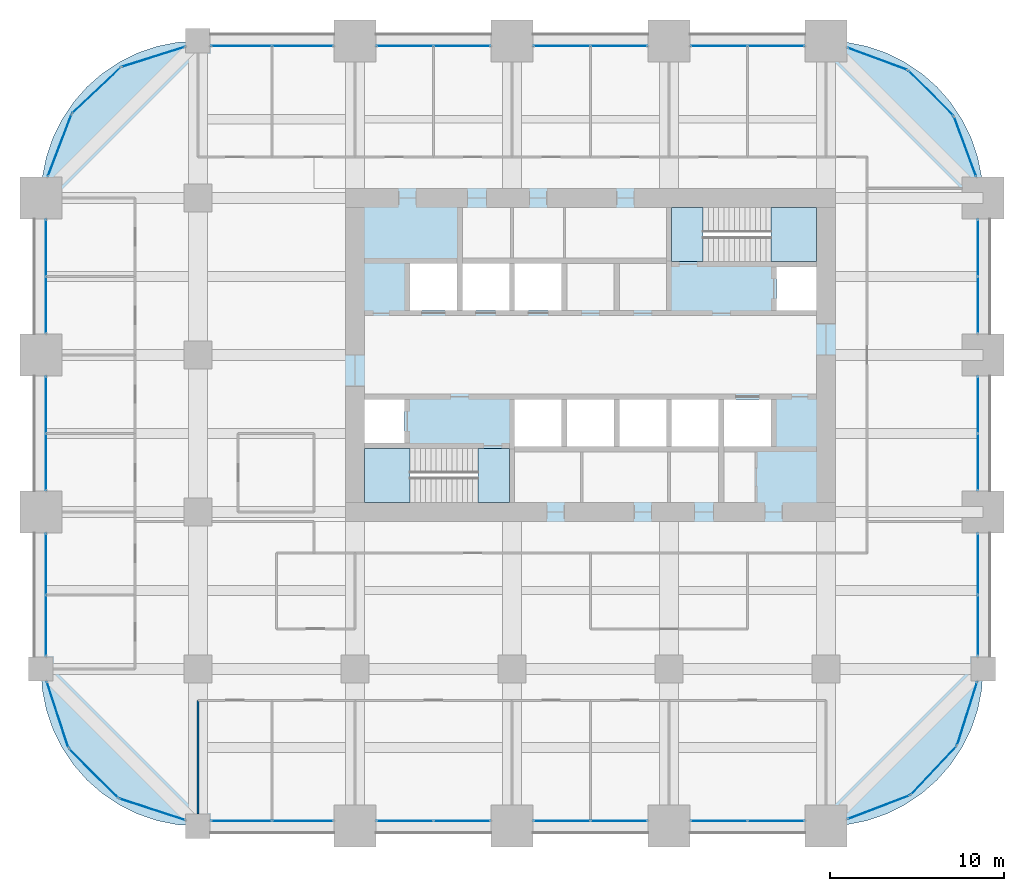
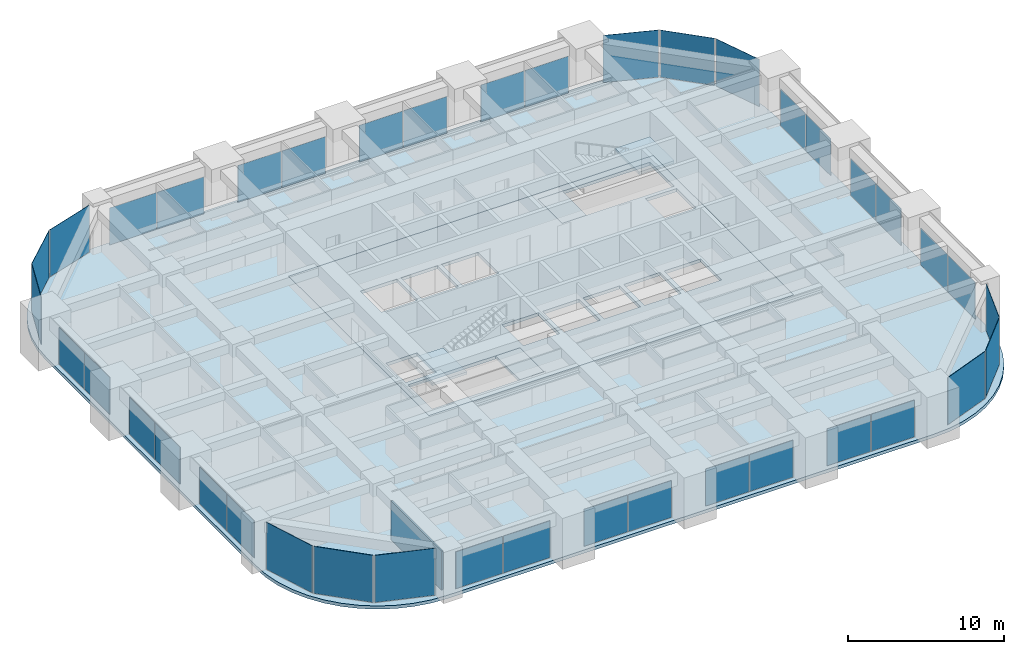
# One storey, part 28 of 34: 40 plates, 6 slabs, 1 wall, 28 elements without a shape of their own.
"""IFC4 building model written with IfcOpenShell, lengths in metres."""

from ifc_helpers import new_model, si_unit, direction, frame, frame_2d, origin, origin_2d, place, context, subcontext, project, spatial, polyline, rectangle, outline, extrude, material, layer, layer_set, type_object, element, aggregate, save


model = new_model("IFC4")

# Units and contexts
model_context = context("Model", 3, precision=1e-05, world=origin(), true_north=direction((0.0, 1.0)))
body_context = subcontext(model_context, "Body", "Model", "MODEL_VIEW")
ifc_project = project(units=[si_unit("LENGTHUNIT", "METRE"), si_unit("AREAUNIT", "SQUARE_METRE"), si_unit("VOLUMEUNIT", "CUBIC_METRE"), si_unit("PLANEANGLEUNIT", "RADIAN"), si_unit("MASSUNIT", "GRAM", prefix="KILO")], contexts=[model_context])

# Site, building, storey
site_placement = place(None, origin())
site = spatial("IfcSite", under=ifc_project, at=site_placement, CompositionType="ELEMENT")
building_placement = place(site_placement, origin())
building = spatial("IfcBuilding", under=site, at=building_placement, Name="Zorevar Civic Tower", CompositionType="ELEMENT")
storey_placement = place(building_placement, frame((0.0, 0.0, 170.199951171875)))
storey = spatial("IfcBuildingStorey", under=building, at=storey_placement, Name="L41", CompositionType="ELEMENT", Elevation=170.199951171875)

# Curtain wall, plates
ifc_material_1 = material(Name="Dark grey solar-control glass in black aluminium frame", Category="aluminium")
curtain_wall_type = type_object("IfcCurtainWallType", Name="Curtain wall CW4 high zone", PredefinedType="NOTDEFINED", material=ifc_material_1)
curtain_wall_1_placement = place(storey_placement, origin())
curtain_wall_1 = element("IfcCurtainWall", 1, at=curtain_wall_1_placement, inside=storey, type_object=curtain_wall_type, Name="CW4 L41", PredefinedType="NOTDEFINED")
ifc_material_2 = material(Name="Dark grey solar-control glass", Category="glass")
ifc_layer_1 = layer(ifc_material_2, 0.028076171875)
ifc_layer_set_1 = layer_set([ifc_layer_1], Name="CW4 panel 28")
plate_type = type_object("IfcPlateType", Name="CW4 panel 28", PredefinedType="CURTAIN_PANEL", material=ifc_layer_set_1)
plate_1_placement = place(storey_placement, frame((11.489990234375, 0.300048828125, 0.06005859375), z_axis=(0.0, 0.0, 1.0), x_axis=(1.0, 0.0, 0.0)))
plate_1 = element("IfcPlate", 2, at=plate_1_placement, type_object=plate_type, Name="CW4 panel 1.1", PredefinedType="CURTAIN_PANEL", context=body_context, shape_type="SweptSolid", body=[
    extrude(rectangle(XDim=3.4599609375, YDim=0.028076171875, at=origin_2d()), origin(), (0.0, 0.0, 1.0), 2.889892578125),
])
plate_2_placement = place(storey_placement, frame((15.010009765625, 0.300048828125, 0.06005859375), z_axis=(0.0, 0.0, 1.0), x_axis=(1.0, 0.0, 0.0)))
plate_2 = element("IfcPlate", 3, at=plate_2_placement, type_object=plate_type, Name="CW4 panel 2.1", PredefinedType="CURTAIN_PANEL", context=body_context, shape_type="SweptSolid", body=[
    extrude(rectangle(XDim=3.4599609375, YDim=0.028076171875, at=origin_2d()), origin(), (0.0, 0.0, 1.0), 2.889892578125),
])
aggregate(curtain_wall_1, [plate_1, plate_2])

curtain_wall_2_placement = place(storey_placement, origin())
curtain_wall_2 = element("IfcCurtainWall", 4, at=curtain_wall_2_placement, inside=storey, type_object=curtain_wall_type, Name="CW4 L41", PredefinedType="NOTDEFINED")
plate_3_placement = place(storey_placement, frame((11.489990234375, 44.699951171875, 0.06005859375), z_axis=(0.0, 0.0, 1.0), x_axis=(1.0, 0.0, 0.0)))
plate_3 = element("IfcPlate", 5, at=plate_3_placement, type_object=plate_type, Name="CW4 panel 1.1", PredefinedType="CURTAIN_PANEL", context=body_context, shape_type="SweptSolid", body=[
    extrude(rectangle(XDim=3.4599609375, YDim=0.028076171875, at=origin_2d()), origin(), (0.0, 0.0, 1.0), 2.889892578125),
])
plate_4_placement = place(storey_placement, frame((15.010009765625, 44.699951171875, 0.06005859375), z_axis=(0.0, 0.0, 1.0), x_axis=(1.0, 0.0, 0.0)))
plate_4 = element("IfcPlate", 6, at=plate_4_placement, type_object=plate_type, Name="CW4 panel 2.1", PredefinedType="CURTAIN_PANEL", context=body_context, shape_type="SweptSolid", body=[
    extrude(rectangle(XDim=3.4599609375, YDim=0.028076171875, at=origin_2d()), origin(), (0.0, 0.0, 1.0), 2.889892578125),
])
aggregate(curtain_wall_2, [plate_3, plate_4])

curtain_wall_3_placement = place(storey_placement, origin())
curtain_wall_3 = element("IfcCurtainWall", 7, at=curtain_wall_3_placement, inside=storey, type_object=curtain_wall_type, Name="CW4 L41", PredefinedType="NOTDEFINED")
plate_5_placement = place(storey_placement, frame((20.864990234375, 0.300048828125, 0.06005859375), z_axis=(0.0, 0.0, 1.0), x_axis=(1.0, 0.0, 0.0)))
plate_5 = element("IfcPlate", 8, at=plate_5_placement, type_object=plate_type, Name="CW4 panel 1.1", PredefinedType="CURTAIN_PANEL", context=body_context, shape_type="SweptSolid", body=[
    extrude(rectangle(XDim=3.2099609375, YDim=0.028076171875, at=origin_2d()), origin(), (0.0, 0.0, 1.0), 2.889892578125),
])
plate_6_placement = place(storey_placement, frame((24.135009765625, 0.300048828125, 0.06005859375), z_axis=(0.0, 0.0, 1.0), x_axis=(1.0, 0.0, 0.0)))
plate_6 = element("IfcPlate", 9, at=plate_6_placement, type_object=plate_type, Name="CW4 panel 2.1", PredefinedType="CURTAIN_PANEL", context=body_context, shape_type="SweptSolid", body=[
    extrude(rectangle(XDim=3.2099609375, YDim=0.028076171875, at=origin_2d()), origin(), (0.0, 0.0, 1.0), 2.889892578125),
])
aggregate(curtain_wall_3, [plate_5, plate_6])

curtain_wall_4_placement = place(storey_placement, origin())
curtain_wall_4 = element("IfcCurtainWall", 10, at=curtain_wall_4_placement, inside=storey, type_object=curtain_wall_type, Name="CW4 L41", PredefinedType="NOTDEFINED")
plate_7_placement = place(storey_placement, frame((20.864990234375, 44.699951171875, 0.06005859375), z_axis=(0.0, 0.0, 1.0), x_axis=(1.0, 0.0, 0.0)))
plate_7 = element("IfcPlate", 11, at=plate_7_placement, type_object=plate_type, Name="CW4 panel 1.1", PredefinedType="CURTAIN_PANEL", context=body_context, shape_type="SweptSolid", body=[
    extrude(rectangle(XDim=3.2099609375, YDim=0.028076171875, at=origin_2d()), origin(), (0.0, 0.0, 1.0), 2.889892578125),
])
plate_8_placement = place(storey_placement, frame((24.135009765625, 44.699951171875, 0.06005859375), z_axis=(0.0, 0.0, 1.0), x_axis=(1.0, 0.0, 0.0)))
plate_8 = element("IfcPlate", 12, at=plate_8_placement, type_object=plate_type, Name="CW4 panel 2.1", PredefinedType="CURTAIN_PANEL", context=body_context, shape_type="SweptSolid", body=[
    extrude(rectangle(XDim=3.2099609375, YDim=0.028076171875, at=origin_2d()), origin(), (0.0, 0.0, 1.0), 2.889892578125),
])
aggregate(curtain_wall_4, [plate_7, plate_8])

curtain_wall_5_placement = place(storey_placement, origin())
curtain_wall_5 = element("IfcCurtainWall", 13, at=curtain_wall_5_placement, inside=storey, type_object=curtain_wall_type, Name="CW4 L41", PredefinedType="NOTDEFINED")
plate_9_placement = place(storey_placement, frame((29.864990234375, 0.300048828125, 0.06005859375), z_axis=(0.0, 0.0, 1.0), x_axis=(1.0, 0.0, 0.0)))
plate_9 = element("IfcPlate", 14, at=plate_9_placement, type_object=plate_type, Name="CW4 panel 1.1", PredefinedType="CURTAIN_PANEL", context=body_context, shape_type="SweptSolid", body=[
    extrude(rectangle(XDim=3.2099609375, YDim=0.028076171875, at=origin_2d()), origin(), (0.0, 0.0, 1.0), 2.889892578125),
])
plate_10_placement = place(storey_placement, frame((33.135009765625, 0.300048828125, 0.06005859375), z_axis=(0.0, 0.0, 1.0), x_axis=(1.0, 0.0, 0.0)))
plate_10 = element("IfcPlate", 15, at=plate_10_placement, type_object=plate_type, Name="CW4 panel 2.1", PredefinedType="CURTAIN_PANEL", context=body_context, shape_type="SweptSolid", body=[
    extrude(rectangle(XDim=3.2099609375, YDim=0.028076171875, at=origin_2d()), origin(), (0.0, 0.0, 1.0), 2.889892578125),
])
aggregate(curtain_wall_5, [plate_9, plate_10])

curtain_wall_6_placement = place(storey_placement, origin())
curtain_wall_6 = element("IfcCurtainWall", 16, at=curtain_wall_6_placement, inside=storey, type_object=curtain_wall_type, Name="CW4 L41", PredefinedType="NOTDEFINED")
plate_11_placement = place(storey_placement, frame((29.864990234375, 44.699951171875, 0.06005859375), z_axis=(0.0, 0.0, 1.0), x_axis=(1.0, 0.0, 0.0)))
plate_11 = element("IfcPlate", 17, at=plate_11_placement, type_object=plate_type, Name="CW4 panel 1.1", PredefinedType="CURTAIN_PANEL", context=body_context, shape_type="SweptSolid", body=[
    extrude(rectangle(XDim=3.2099609375, YDim=0.028076171875, at=origin_2d()), origin(), (0.0, 0.0, 1.0), 2.889892578125),
])
plate_12_placement = place(storey_placement, frame((33.135009765625, 44.699951171875, 0.06005859375), z_axis=(0.0, 0.0, 1.0), x_axis=(1.0, 0.0, 0.0)))
plate_12 = element("IfcPlate", 18, at=plate_12_placement, type_object=plate_type, Name="CW4 panel 2.1", PredefinedType="CURTAIN_PANEL", context=body_context, shape_type="SweptSolid", body=[
    extrude(rectangle(XDim=3.2099609375, YDim=0.028076171875, at=origin_2d()), origin(), (0.0, 0.0, 1.0), 2.889892578125),
])
aggregate(curtain_wall_6, [plate_11, plate_12])

curtain_wall_7_placement = place(storey_placement, origin())
curtain_wall_7 = element("IfcCurtainWall", 19, at=curtain_wall_7_placement, inside=storey, type_object=curtain_wall_type, Name="CW4 L41", PredefinedType="NOTDEFINED")
plate_13_placement = place(storey_placement, frame((38.864990234375, 0.300048828125, 0.06005859375), z_axis=(0.0, 0.0, 1.0), x_axis=(1.0, 0.0, 0.0)))
plate_13 = element("IfcPlate", 20, at=plate_13_placement, type_object=plate_type, Name="CW4 panel 1.1", PredefinedType="CURTAIN_PANEL", context=body_context, shape_type="SweptSolid", body=[
    extrude(rectangle(XDim=3.2099609375, YDim=0.028076171875, at=origin_2d()), origin(), (0.0, 0.0, 1.0), 2.889892578125),
])
plate_14_placement = place(storey_placement, frame((42.135009765625, 0.300048828125, 0.06005859375), z_axis=(0.0, 0.0, 1.0), x_axis=(1.0, 0.0, 0.0)))
plate_14 = element("IfcPlate", 21, at=plate_14_placement, type_object=plate_type, Name="CW4 panel 2.1", PredefinedType="CURTAIN_PANEL", context=body_context, shape_type="SweptSolid", body=[
    extrude(rectangle(XDim=3.2099609375, YDim=0.028076171875, at=origin_2d()), origin(), (0.0, 0.0, 1.0), 2.889892578125),
])
aggregate(curtain_wall_7, [plate_13, plate_14])

curtain_wall_8_placement = place(storey_placement, origin())
curtain_wall_8 = element("IfcCurtainWall", 22, at=curtain_wall_8_placement, inside=storey, type_object=curtain_wall_type, Name="CW4 L41", PredefinedType="NOTDEFINED")
plate_15_placement = place(storey_placement, frame((38.864990234375, 44.699951171875, 0.06005859375), z_axis=(0.0, 0.0, 1.0), x_axis=(1.0, 0.0, 0.0)))
plate_15 = element("IfcPlate", 23, at=plate_15_placement, type_object=plate_type, Name="CW4 panel 1.1", PredefinedType="CURTAIN_PANEL", context=body_context, shape_type="SweptSolid", body=[
    extrude(rectangle(XDim=3.2099609375, YDim=0.028076171875, at=origin_2d()), origin(), (0.0, 0.0, 1.0), 2.889892578125),
])
plate_16_placement = place(storey_placement, frame((42.135009765625, 44.699951171875, 0.06005859375), z_axis=(0.0, 0.0, 1.0), x_axis=(1.0, 0.0, 0.0)))
plate_16 = element("IfcPlate", 24, at=plate_16_placement, type_object=plate_type, Name="CW4 panel 2.1", PredefinedType="CURTAIN_PANEL", context=body_context, shape_type="SweptSolid", body=[
    extrude(rectangle(XDim=3.2099609375, YDim=0.028076171875, at=origin_2d()), origin(), (0.0, 0.0, 1.0), 2.889892578125),
])
aggregate(curtain_wall_8, [plate_15, plate_16])

curtain_wall_9_placement = place(storey_placement, origin())
curtain_wall_9 = element("IfcCurtainWall", 25, at=curtain_wall_9_placement, inside=storey, type_object=curtain_wall_type, Name="CW4 L41", PredefinedType="NOTDEFINED")
plate_17_placement = place(storey_placement, frame((0.300048828125, 11.489990234375, 0.06005859375), z_axis=(0.0, 0.0, 1.0), x_axis=(0.0, 1.0, 0.0)))
plate_17 = element("IfcPlate", 26, at=plate_17_placement, type_object=plate_type, Name="CW4 panel 1.1", PredefinedType="CURTAIN_PANEL", context=body_context, shape_type="SweptSolid", body=[
    extrude(rectangle(XDim=3.4599609375, YDim=0.028076171875, at=origin_2d()), origin(), (0.0, 0.0, 1.0), 2.889892578125),
])
plate_18_placement = place(storey_placement, frame((0.300048828125, 15.010009765625, 0.06005859375), z_axis=(0.0, 0.0, 1.0), x_axis=(0.0, 1.0, 0.0)))
plate_18 = element("IfcPlate", 27, at=plate_18_placement, type_object=plate_type, Name="CW4 panel 2.1", PredefinedType="CURTAIN_PANEL", context=body_context, shape_type="SweptSolid", body=[
    extrude(rectangle(XDim=3.4599609375, YDim=0.028076171875, at=origin_2d()), origin(), (0.0, 0.0, 1.0), 2.889892578125),
])
aggregate(curtain_wall_9, [plate_17, plate_18])

curtain_wall_10_placement = place(storey_placement, origin())
curtain_wall_10 = element("IfcCurtainWall", 28, at=curtain_wall_10_placement, inside=storey, type_object=curtain_wall_type, Name="CW4 L41", PredefinedType="NOTDEFINED")
plate_19_placement = place(storey_placement, frame((53.699951171875, 11.489990234375, 0.06005859375), z_axis=(0.0, 0.0, 1.0), x_axis=(0.0, 1.0, 0.0)))
plate_19 = element("IfcPlate", 29, at=plate_19_placement, type_object=plate_type, Name="CW4 panel 1.1", PredefinedType="CURTAIN_PANEL", context=body_context, shape_type="SweptSolid", body=[
    extrude(rectangle(XDim=3.4599609375, YDim=0.028076171875, at=origin_2d()), origin(), (0.0, 0.0, 1.0), 2.889892578125),
])
plate_20_placement = place(storey_placement, frame((53.699951171875, 15.010009765625, 0.06005859375), z_axis=(0.0, 0.0, 1.0), x_axis=(0.0, 1.0, 0.0)))
plate_20 = element("IfcPlate", 30, at=plate_20_placement, type_object=plate_type, Name="CW4 panel 2.1", PredefinedType="CURTAIN_PANEL", context=body_context, shape_type="SweptSolid", body=[
    extrude(rectangle(XDim=3.4599609375, YDim=0.028076171875, at=origin_2d()), origin(), (0.0, 0.0, 1.0), 2.889892578125),
])
aggregate(curtain_wall_10, [plate_19, plate_20])

curtain_wall_11_placement = place(storey_placement, origin())
curtain_wall_11 = element("IfcCurtainWall", 31, at=curtain_wall_11_placement, inside=storey, type_object=curtain_wall_type, Name="CW4 L41", PredefinedType="NOTDEFINED")
plate_21_placement = place(storey_placement, frame((0.300048828125, 20.864990234375, 0.06005859375), z_axis=(0.0, 0.0, 1.0), x_axis=(0.0, 1.0, 0.0)))
plate_21 = element("IfcPlate", 32, at=plate_21_placement, type_object=plate_type, Name="CW4 panel 1.1", PredefinedType="CURTAIN_PANEL", context=body_context, shape_type="SweptSolid", body=[
    extrude(rectangle(XDim=3.2099609375, YDim=0.028076171875, at=origin_2d()), origin(), (0.0, 0.0, 1.0), 2.889892578125),
])
plate_22_placement = place(storey_placement, frame((0.300048828125, 24.135009765625, 0.06005859375), z_axis=(0.0, 0.0, 1.0), x_axis=(0.0, 1.0, 0.0)))
plate_22 = element("IfcPlate", 33, at=plate_22_placement, type_object=plate_type, Name="CW4 panel 2.1", PredefinedType="CURTAIN_PANEL", context=body_context, shape_type="SweptSolid", body=[
    extrude(rectangle(XDim=3.2099609375, YDim=0.028076171875, at=origin_2d()), origin(), (0.0, 0.0, 1.0), 2.889892578125),
])
aggregate(curtain_wall_11, [plate_21, plate_22])

curtain_wall_12_placement = place(storey_placement, origin())
curtain_wall_12 = element("IfcCurtainWall", 34, at=curtain_wall_12_placement, inside=storey, type_object=curtain_wall_type, Name="CW4 L41", PredefinedType="NOTDEFINED")
plate_23_placement = place(storey_placement, frame((53.699951171875, 20.864990234375, 0.06005859375), z_axis=(0.0, 0.0, 1.0), x_axis=(0.0, 1.0, 0.0)))
plate_23 = element("IfcPlate", 35, at=plate_23_placement, type_object=plate_type, Name="CW4 panel 1.1", PredefinedType="CURTAIN_PANEL", context=body_context, shape_type="SweptSolid", body=[
    extrude(rectangle(XDim=3.2099609375, YDim=0.028076171875, at=origin_2d()), origin(), (0.0, 0.0, 1.0), 2.889892578125),
])
plate_24_placement = place(storey_placement, frame((53.699951171875, 24.135009765625, 0.06005859375), z_axis=(0.0, 0.0, 1.0), x_axis=(0.0, 1.0, 0.0)))
plate_24 = element("IfcPlate", 36, at=plate_24_placement, type_object=plate_type, Name="CW4 panel 2.1", PredefinedType="CURTAIN_PANEL", context=body_context, shape_type="SweptSolid", body=[
    extrude(rectangle(XDim=3.2099609375, YDim=0.028076171875, at=origin_2d()), origin(), (0.0, 0.0, 1.0), 2.889892578125),
])
aggregate(curtain_wall_12, [plate_23, plate_24])

curtain_wall_13_placement = place(storey_placement, origin())
curtain_wall_13 = element("IfcCurtainWall", 37, at=curtain_wall_13_placement, inside=storey, type_object=curtain_wall_type, Name="CW4 L41", PredefinedType="NOTDEFINED")
plate_25_placement = place(storey_placement, frame((0.300048828125, 29.864990234375, 0.06005859375), z_axis=(0.0, 0.0, 1.0), x_axis=(0.0, 1.0, 0.0)))
plate_25 = element("IfcPlate", 38, at=plate_25_placement, type_object=plate_type, Name="CW4 panel 1.1", PredefinedType="CURTAIN_PANEL", context=body_context, shape_type="SweptSolid", body=[
    extrude(rectangle(XDim=3.2099609375, YDim=0.028076171875, at=origin_2d()), origin(), (0.0, 0.0, 1.0), 2.889892578125),
])
plate_26_placement = place(storey_placement, frame((0.300048828125, 33.135009765625, 0.06005859375), z_axis=(0.0, 0.0, 1.0), x_axis=(0.0, 1.0, 0.0)))
plate_26 = element("IfcPlate", 39, at=plate_26_placement, type_object=plate_type, Name="CW4 panel 2.1", PredefinedType="CURTAIN_PANEL", context=body_context, shape_type="SweptSolid", body=[
    extrude(rectangle(XDim=3.2099609375, YDim=0.028076171875, at=origin_2d()), origin(), (0.0, 0.0, 1.0), 2.889892578125),
])
aggregate(curtain_wall_13, [plate_25, plate_26])

curtain_wall_14_placement = place(storey_placement, origin())
curtain_wall_14 = element("IfcCurtainWall", 40, at=curtain_wall_14_placement, inside=storey, type_object=curtain_wall_type, Name="CW4 L41", PredefinedType="NOTDEFINED")
plate_27_placement = place(storey_placement, frame((53.699951171875, 29.864990234375, 0.06005859375), z_axis=(0.0, 0.0, 1.0), x_axis=(0.0, 1.0, 0.0)))
plate_27 = element("IfcPlate", 41, at=plate_27_placement, type_object=plate_type, Name="CW4 panel 1.1", PredefinedType="CURTAIN_PANEL", context=body_context, shape_type="SweptSolid", body=[
    extrude(rectangle(XDim=3.2099609375, YDim=0.028076171875, at=origin_2d()), origin(), (0.0, 0.0, 1.0), 2.889892578125),
])
plate_28_placement = place(storey_placement, frame((53.699951171875, 33.135009765625, 0.06005859375), z_axis=(0.0, 0.0, 1.0), x_axis=(0.0, 1.0, 0.0)))
plate_28 = element("IfcPlate", 42, at=plate_28_placement, type_object=plate_type, Name="CW4 panel 2.1", PredefinedType="CURTAIN_PANEL", context=body_context, shape_type="SweptSolid", body=[
    extrude(rectangle(XDim=3.2099609375, YDim=0.028076171875, at=origin_2d()), origin(), (0.0, 0.0, 1.0), 2.889892578125),
])
aggregate(curtain_wall_14, [plate_27, plate_28])

# Curtain wall, plate
curtain_wall_15_placement = place(storey_placement, origin())
curtain_wall_15 = element("IfcCurtainWall", 43, at=curtain_wall_15_placement, inside=storey, type_object=curtain_wall_type, Name="CW4 L41", PredefinedType="NOTDEFINED")
plate_29_placement = place(storey_placement, frame((48.0166015625, 1.07470703125, 0.06005859375), z_axis=(0.0, 0.0, 1.0), x_axis=(0.93458842801, 0.355730895803, 0.0)))
plate_29 = element("IfcPlate", 44, at=plate_29_placement, type_object=plate_type, Name="CW4 panel 1.1", PredefinedType="CURTAIN_PANEL", context=body_context, shape_type="SweptSolid", body=[
    extrude(rectangle(XDim=3.767333984375, YDim=0.028076171875, at=origin_2d()), origin(), (0.0, 0.0, 1.0), 3.68994140625),
])
aggregate(curtain_wall_15, [plate_29])

curtain_wall_16_placement = place(storey_placement, origin())
curtain_wall_16 = element("IfcCurtainWall", 45, at=curtain_wall_16_placement, inside=storey, type_object=curtain_wall_type, Name="CW4 L41", PredefinedType="NOTDEFINED")
plate_30_placement = place(storey_placement, frame((51.167236328125, 3.179443359375, 0.06005859375), z_axis=(0.0, 0.0, 1.0), x_axis=(0.686377907265, 0.727245053898, 0.0)))
plate_30 = element("IfcPlate", 46, at=plate_30_placement, type_object=plate_type, Name="CW4 panel 1.1", PredefinedType="CURTAIN_PANEL", context=body_context, shape_type="SweptSolid", body=[
    extrude(rectangle(XDim=3.767333984375, YDim=0.028076171875, at=origin_2d()), origin(), (0.0, 0.0, 1.0), 3.68994140625),
])
aggregate(curtain_wall_16, [plate_30])

curtain_wall_17_placement = place(storey_placement, origin())
curtain_wall_17 = element("IfcCurtainWall", 47, at=curtain_wall_17_placement, inside=storey, type_object=curtain_wall_type, Name="CW4 L41", PredefinedType="NOTDEFINED")
plate_31_placement = place(storey_placement, frame((53.08642578125, 6.446533203125, 0.06005859375), z_axis=(0.0, 0.0, 1.0), x_axis=(0.301108296077, 0.953589950678, 0.0)))
plate_31 = element("IfcPlate", 48, at=plate_31_placement, type_object=plate_type, Name="CW4 panel 1.1", PredefinedType="CURTAIN_PANEL", context=body_context, shape_type="SweptSolid", body=[
    extrude(rectangle(XDim=3.767333984375, YDim=0.028076171875, at=origin_2d()), origin(), (0.0, 0.0, 1.0), 3.68994140625),
])
aggregate(curtain_wall_17, [plate_31])

curtain_wall_18_placement = place(storey_placement, origin())
curtain_wall_18 = element("IfcCurtainWall", 49, at=curtain_wall_18_placement, inside=storey, type_object=curtain_wall_type, Name="CW4 L41", PredefinedType="NOTDEFINED")
plate_32_placement = place(storey_placement, frame((52.97119140625, 38.9462890625, 0.06005859375), z_axis=(0.0, 0.0, 1.0), x_axis=(-0.346704012033, 0.937974588163, 0.0)))
plate_32 = element("IfcPlate", 50, at=plate_32_placement, type_object=plate_type, Name="CW4 panel 1.1", PredefinedType="CURTAIN_PANEL", context=body_context, shape_type="SweptSolid", body=[
    extrude(rectangle(XDim=3.603759765625, YDim=0.028076171875, at=origin_2d()), origin(), (0.0, 0.0, 1.0), 3.68994140625),
])
aggregate(curtain_wall_18, [plate_32])

curtain_wall_19_placement = place(storey_placement, origin())
curtain_wall_19 = element("IfcCurtainWall", 51, at=curtain_wall_19_placement, inside=storey, type_object=curtain_wall_type, Name="CW4 L41", PredefinedType="NOTDEFINED")
plate_33_placement = place(storey_placement, frame((51.00927734375, 42.00927734375, 0.06005859375), z_axis=(0.0, 0.0, 1.0), x_axis=(-0.707106781187, 0.707106781187, 0.0)))
plate_33 = element("IfcPlate", 52, at=plate_33_placement, type_object=plate_type, Name="CW4 panel 1.1", PredefinedType="CURTAIN_PANEL", context=body_context, shape_type="SweptSolid", body=[
    extrude(rectangle(XDim=3.603759765625, YDim=0.028076171875, at=origin_2d()), origin(), (0.0, 0.0, 1.0), 3.68994140625),
])
aggregate(curtain_wall_19, [plate_33])

curtain_wall_20_placement = place(storey_placement, origin())
curtain_wall_20 = element("IfcCurtainWall", 53, at=curtain_wall_20_placement, inside=storey, type_object=curtain_wall_type, Name="CW4 L41", PredefinedType="NOTDEFINED")
plate_34_placement = place(storey_placement, frame((47.9462890625, 43.97119140625, 0.06005859375), z_axis=(0.0, 0.0, 1.0), x_axis=(-0.937974588163, 0.346704012033, 0.0)))
plate_34 = element("IfcPlate", 54, at=plate_34_placement, type_object=plate_type, Name="CW4 panel 1.1", PredefinedType="CURTAIN_PANEL", context=body_context, shape_type="SweptSolid", body=[
    extrude(rectangle(XDim=3.603759765625, YDim=0.028076171875, at=origin_2d()), origin(), (0.0, 0.0, 1.0), 3.68994140625),
])
aggregate(curtain_wall_20, [plate_34])

curtain_wall_21_placement = place(storey_placement, origin())
curtain_wall_21 = element("IfcCurtainWall", 55, at=curtain_wall_21_placement, inside=storey, type_object=curtain_wall_type, Name="CW4 L41", PredefinedType="NOTDEFINED")
plate_35_placement = place(storey_placement, frame((6.446533203125, 44.08642578125, 0.06005859375), z_axis=(0.0, 0.0, 1.0), x_axis=(-0.953589950678, -0.301108296077, 0.0)))
plate_35 = element("IfcPlate", 56, at=plate_35_placement, type_object=plate_type, Name="CW4 panel 1.1", PredefinedType="CURTAIN_PANEL", context=body_context, shape_type="SweptSolid", body=[
    extrude(rectangle(XDim=3.767333984375, YDim=0.028076171875, at=origin_2d()), origin(), (0.0, 0.0, 1.0), 3.68994140625),
])
aggregate(curtain_wall_21, [plate_35])

curtain_wall_22_placement = place(storey_placement, origin())
curtain_wall_22 = element("IfcCurtainWall", 57, at=curtain_wall_22_placement, inside=storey, type_object=curtain_wall_type, Name="CW4 L41", PredefinedType="NOTDEFINED")
plate_36_placement = place(storey_placement, frame((3.179443359375, 42.167236328125, 0.06005859375), z_axis=(0.0, 0.0, 1.0), x_axis=(-0.727245053898, -0.686377907265, 0.0)))
plate_36 = element("IfcPlate", 58, at=plate_36_placement, type_object=plate_type, Name="CW4 panel 1.1", PredefinedType="CURTAIN_PANEL", context=body_context, shape_type="SweptSolid", body=[
    extrude(rectangle(XDim=3.767333984375, YDim=0.028076171875, at=origin_2d()), origin(), (0.0, 0.0, 1.0), 3.68994140625),
])
aggregate(curtain_wall_22, [plate_36])

curtain_wall_23_placement = place(storey_placement, origin())
curtain_wall_23 = element("IfcCurtainWall", 59, at=curtain_wall_23_placement, inside=storey, type_object=curtain_wall_type, Name="CW4 L41", PredefinedType="NOTDEFINED")
plate_37_placement = place(storey_placement, frame((1.07470703125, 39.0166015625, 0.06005859375), z_axis=(0.0, 0.0, 1.0), x_axis=(-0.355730895803, -0.93458842801, 0.0)))
plate_37 = element("IfcPlate", 60, at=plate_37_placement, type_object=plate_type, Name="CW4 panel 1.1", PredefinedType="CURTAIN_PANEL", context=body_context, shape_type="SweptSolid", body=[
    extrude(rectangle(XDim=3.767333984375, YDim=0.028076171875, at=origin_2d()), origin(), (0.0, 0.0, 1.0), 3.68994140625),
])
aggregate(curtain_wall_23, [plate_37])

curtain_wall_24_placement = place(storey_placement, origin())
curtain_wall_24 = element("IfcCurtainWall", 61, at=curtain_wall_24_placement, inside=storey, type_object=curtain_wall_type, Name="CW4 L41", PredefinedType="NOTDEFINED")
plate_38_placement = place(storey_placement, frame((0.956787109375, 6.374755859375, 0.06005859375), z_axis=(0.0, 0.0, 1.0), x_axis=(0.310281419775, -0.950644749916, 0.0)))
plate_38 = element("IfcPlate", 62, at=plate_38_placement, type_object=plate_type, Name="CW4 panel 1.1", PredefinedType="CURTAIN_PANEL", context=body_context, shape_type="SweptSolid", body=[
    extrude(rectangle(XDim=3.9306640625, YDim=0.028076171875, at=origin_2d()), origin(), (0.0, 0.0, 1.0), 3.68994140625),
])
aggregate(curtain_wall_24, [plate_38])

curtain_wall_25_placement = place(storey_placement, origin())
curtain_wall_25 = element("IfcCurtainWall", 63, at=curtain_wall_25_placement, inside=storey, type_object=curtain_wall_type, Name="CW4 L41", PredefinedType="NOTDEFINED")
plate_39_placement = place(storey_placement, frame((3.01708984375, 3.01708984375, 0.06005859375), z_axis=(0.0, 0.0, 1.0), x_axis=(0.707106781187, -0.707106781187, 0.0)))
plate_39 = element("IfcPlate", 64, at=plate_39_placement, type_object=plate_type, Name="CW4 panel 1.1", PredefinedType="CURTAIN_PANEL", context=body_context, shape_type="SweptSolid", body=[
    extrude(rectangle(XDim=3.9306640625, YDim=0.028076171875, at=origin_2d()), origin(), (0.0, 0.0, 1.0), 3.68994140625),
])
aggregate(curtain_wall_25, [plate_39])

curtain_wall_26_placement = place(storey_placement, origin())
curtain_wall_26 = element("IfcCurtainWall", 65, at=curtain_wall_26_placement, inside=storey, type_object=curtain_wall_type, Name="CW4 L41", PredefinedType="NOTDEFINED")
plate_40_placement = place(storey_placement, frame((6.374755859375, 0.956787109375, 0.06005859375), z_axis=(0.0, 0.0, 1.0), x_axis=(0.950644749916, -0.310281419775, 0.0)))
plate_40 = element("IfcPlate", 66, at=plate_40_placement, type_object=plate_type, Name="CW4 panel 1.1", PredefinedType="CURTAIN_PANEL", context=body_context, shape_type="SweptSolid", body=[
    extrude(rectangle(XDim=3.9306640625, YDim=0.028076171875, at=origin_2d()), origin(), (0.0, 0.0, 1.0), 3.68994140625),
])
aggregate(curtain_wall_26, [plate_40])

# Slabs
ifc_material_3 = material(Name="Concrete C40/50", Category="concrete")
ifc_layer_2 = layer(ifc_material_3, 0.25)
ifc_layer_set_2 = layer_set([ifc_layer_2], Name="Floor slab 250")
slab_type_1 = type_object("IfcSlabType", Name="Floor slab 250", PredefinedType="FLOOR", material=ifc_layer_set_2)
slab_1_placement = place(storey_placement, frame((0.0, 0.0, -0.25)))
element("IfcSlab", 67, at=slab_1_placement, inside=storey, type_object=slab_type_1, Name="Floor slab L41", PredefinedType="FLOOR", context=body_context, shape_type="SweptSolid", body=[
    extrude(outline(polyline([(45.0, 0.0), (46.1748046875, 0.076904296875), (47.329345703125, 0.306640625), (48.444091796875, 0.68505859375), (49.5, 1.205810546875), (50.478759765625, 1.85986328125), (51.364013671875, 2.635986328125), (52.14013671875, 3.521240234375), (52.794189453125, 4.5), (53.31494140625, 5.555908203125), (53.693359375, 6.670654296875), (53.923095703125, 7.8251953125), (54.0, 9.0), (54.0, 36.0), (53.923095703125, 37.1748046875), (53.693359375, 38.329345703125), (53.31494140625, 39.444091796875), (52.794189453125, 40.5), (52.14013671875, 41.478759765625), (51.364013671875, 42.364013671875), (50.478759765625, 43.14013671875), (49.5, 43.794189453125), (48.444091796875, 44.31494140625), (47.329345703125, 44.693359375), (46.1748046875, 44.923095703125), (45.0, 45.0), (9.0, 45.0), (7.8251953125, 44.923095703125), (6.670654296875, 44.693359375), (5.555908203125, 44.31494140625), (4.5, 43.794189453125), (3.521240234375, 43.14013671875), (2.635986328125, 42.364013671875), (1.85986328125, 41.478759765625), (1.205810546875, 40.5), (0.68505859375, 39.444091796875), (0.306640625, 38.329345703125), (0.076904296875, 37.1748046875), (0.0, 36.0), (0.0, 9.0), (0.076904296875, 7.8251953125), (0.306640625, 6.670654296875), (0.68505859375, 5.555908203125), (1.205810546875, 4.5), (1.85986328125, 3.521240234375), (2.635986328125, 2.635986328125), (3.521240234375, 1.85986328125), (4.5, 1.205810546875), (5.555908203125, 0.68505859375), (6.670654296875, 0.306640625), (7.8251953125, 0.076904296875), (9.0, 0.0), (45.0, 0.0)]), holes=[polyline([(18.0, 18.0), (45.0, 18.0), (45.0, 36.0), (18.0, 36.0), (18.0, 18.0)])]), origin(), (0.0, 0.0, 1.0), 0.25),
])
slab_2_placement = place(storey_placement, frame((0.0, 0.0, -0.25)))
element("IfcSlab", 68, at=slab_2_placement, inside=storey, type_object=slab_type_1, Name="Core floor L41", PredefinedType="FLOOR", context=body_context, shape_type="SweptSolid", body=[
    extrude(outline(polyline([(18.0, 18.0), (45.0, 18.0), (45.0, 36.0), (18.0, 36.0), (18.0, 18.0)]), holes=[polyline([(18.550048828125, 18.550048828125), (26.85009765625, 18.550048828125), (26.85009765625, 21.64990234375), (18.550048828125, 21.64990234375), (18.550048828125, 18.550048828125)]), polyline([(36.14990234375, 32.35009765625), (44.449951171875, 32.35009765625), (44.449951171875, 35.449951171875), (36.14990234375, 35.449951171875), (36.14990234375, 32.35009765625)]), polyline([(18.550048828125, 21.949951171875), (20.85009765625, 21.949951171875), (20.85009765625, 24.449951171875), (18.550048828125, 24.449951171875), (18.550048828125, 21.949951171875)]), polyline([(42.14990234375, 29.550048828125), (44.449951171875, 29.550048828125), (44.449951171875, 32.050048828125), (42.14990234375, 32.050048828125), (42.14990234375, 29.550048828125)]), polyline([(27.14990234375, 21.75), (29.85009765625, 21.75), (29.85009765625, 24.449951171875), (27.14990234375, 24.449951171875), (27.14990234375, 21.75)]), polyline([(30.14990234375, 21.75), (32.85009765625, 21.75), (32.85009765625, 24.449951171875), (30.14990234375, 24.449951171875), (30.14990234375, 21.75)]), polyline([(33.14990234375, 21.75), (35.85009765625, 21.75), (35.85009765625, 24.449951171875), (33.14990234375, 24.449951171875), (33.14990234375, 21.75)]), polyline([(27.14990234375, 29.550048828125), (29.85009765625, 29.550048828125), (29.85009765625, 32.25), (27.14990234375, 32.25), (27.14990234375, 29.550048828125)]), polyline([(36.14990234375, 21.75), (38.85009765625, 21.75), (38.85009765625, 24.449951171875), (36.14990234375, 24.449951171875), (36.14990234375, 21.75)]), polyline([(24.14990234375, 29.550048828125), (26.85009765625, 29.550048828125), (26.85009765625, 32.25), (24.14990234375, 32.25), (24.14990234375, 29.550048828125)]), polyline([(39.14990234375, 21.75), (41.85009765625, 21.75), (41.85009765625, 24.449951171875), (39.14990234375, 24.449951171875), (39.14990234375, 21.75)]), polyline([(21.14990234375, 29.550048828125), (23.85009765625, 29.550048828125), (23.85009765625, 32.25), (21.14990234375, 32.25), (21.14990234375, 29.550048828125)])]), origin(), (0.0, 0.0, 1.0), 0.25),
])

# Stair, slabs
ifc_material_4 = material(Name="Precast concrete C40/50", Category="concrete")
stair_type = type_object("IfcStairType", Name="Stair ST 28R", PredefinedType="HALF_TURN_STAIR", material=ifc_material_4)
stair_1_placement = place(storey_placement, origin())
stair_1 = element("IfcStair", 69, at=stair_1_placement, inside=storey, type_object=stair_type, Name="Stair ST1 L41", PredefinedType="HALF_TURN_STAIR")
ifc_material_5 = material(Name="Concrete C40/50", Category="concrete")
ifc_layer_3 = layer(ifc_material_5, 0.199951171875)
ifc_layer_set_3 = layer_set([ifc_layer_3], Name="Stair landing 200")
slab_type_2 = type_object("IfcSlabType", Name="Stair landing 200", PredefinedType="LANDING", material=ifc_layer_set_3)
slab_3_placement = place(storey_placement, frame((0.0, 0.0, -0.199951171875)))
slab_3 = element("IfcSlab", 70, at=slab_3_placement, type_object=slab_type_2, Name="ST1 landing 1", PredefinedType="LANDING", context=body_context, shape_type="SweptSolid", body=[
    extrude(outline(polyline([(25.050048828125, 18.550048828125), (26.85009765625, 18.550048828125), (26.85009765625, 21.64990234375), (25.050048828125, 21.64990234375), (25.050048828125, 18.550048828125)])), origin(), (0.0, 0.0, 1.0), 0.199951171875),
])
slab_4_placement = place(storey_placement, frame((0.0, 0.0, 1.800048828125)))
slab_4 = element("IfcSlab", 71, at=slab_4_placement, type_object=slab_type_2, Name="ST1 landing 2", PredefinedType="LANDING", context=body_context, shape_type="SweptSolid", body=[
    extrude(outline(polyline([(18.550048828125, 18.550048828125), (21.14990234375, 18.550048828125), (21.14990234375, 21.64990234375), (18.550048828125, 21.64990234375), (18.550048828125, 18.550048828125)])), origin(), (0.0, 0.0, 1.0), 0.199951171875),
])
aggregate(stair_1, [slab_3, slab_4])

stair_2_placement = place(storey_placement, origin())
stair_2 = element("IfcStair", 72, at=stair_2_placement, inside=storey, type_object=stair_type, Name="Stair ST2 L41", PredefinedType="HALF_TURN_STAIR")
slab_5_placement = place(storey_placement, frame((0.0, 0.0, -0.199951171875)))
slab_5 = element("IfcSlab", 73, at=slab_5_placement, type_object=slab_type_2, Name="ST2 landing 1", PredefinedType="LANDING", context=body_context, shape_type="SweptSolid", body=[
    extrude(outline(polyline([(37.949951171875, 32.35009765625), (36.14990234375, 32.35009765625), (36.14990234375, 35.449951171875), (37.949951171875, 35.449951171875), (37.949951171875, 32.35009765625)])), origin(), (0.0, 0.0, 1.0), 0.199951171875),
])
slab_6_placement = place(storey_placement, frame((0.0, 0.0, 1.800048828125)))
slab_6 = element("IfcSlab", 74, at=slab_6_placement, type_object=slab_type_2, Name="ST2 landing 2", PredefinedType="LANDING", context=body_context, shape_type="SweptSolid", body=[
    extrude(outline(polyline([(44.449951171875, 32.35009765625), (41.85009765625, 32.35009765625), (41.85009765625, 35.449951171875), (44.449951171875, 35.449951171875), (44.449951171875, 32.35009765625)])), origin(), (0.0, 0.0, 1.0), 0.199951171875),
])
aggregate(stair_2, [slab_5, slab_6])

# Wall
ifc_material_6 = material(Name="Gypsum board on steel studs", Category="steel")
ifc_layer_4 = layer(ifc_material_6, 0.1201171875)
ifc_layer_set_4 = layer_set([ifc_layer_4], Name="Partition 120")
wall_type = type_object("IfcWallType", Name="Partition 120", PredefinedType="PARTITIONING", material=ifc_layer_set_4)
wall_placement = place(storey_placement, frame((9.0, 0.699951171875, 0.0), z_axis=(0.0, 0.0, 1.0), x_axis=(0.0, 1.0, 0.0)))
element("IfcWall", 75, at=wall_placement, inside=storey, type_object=wall_type, Name="Partition 120 L41", PredefinedType="PARTITIONING", context=body_context, shape_type="SweptSolid", body=[
    extrude(rectangle(XDim=6.5, YDim=0.1201171875, at=frame_2d((3.25, 0.0))), origin(), (0.0, 0.0, 1.0), 3.050048828125),
])

save(model, "model.ifc")
